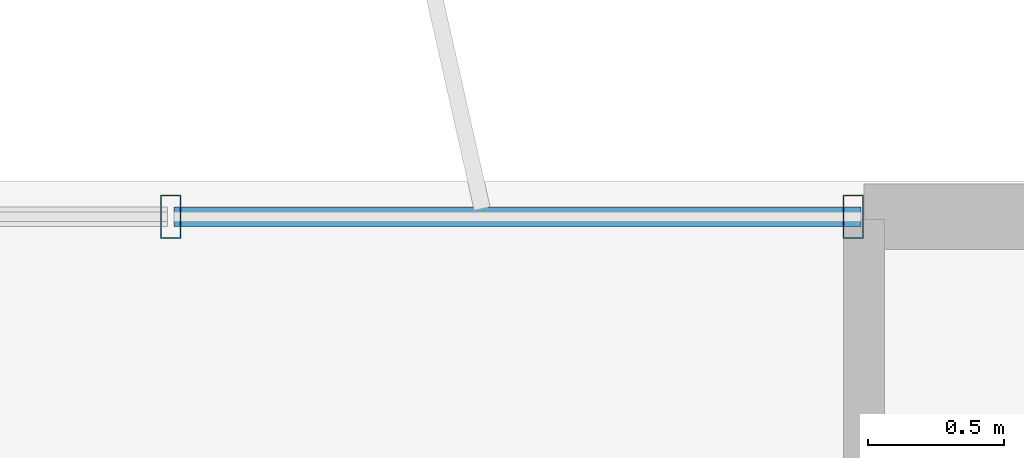
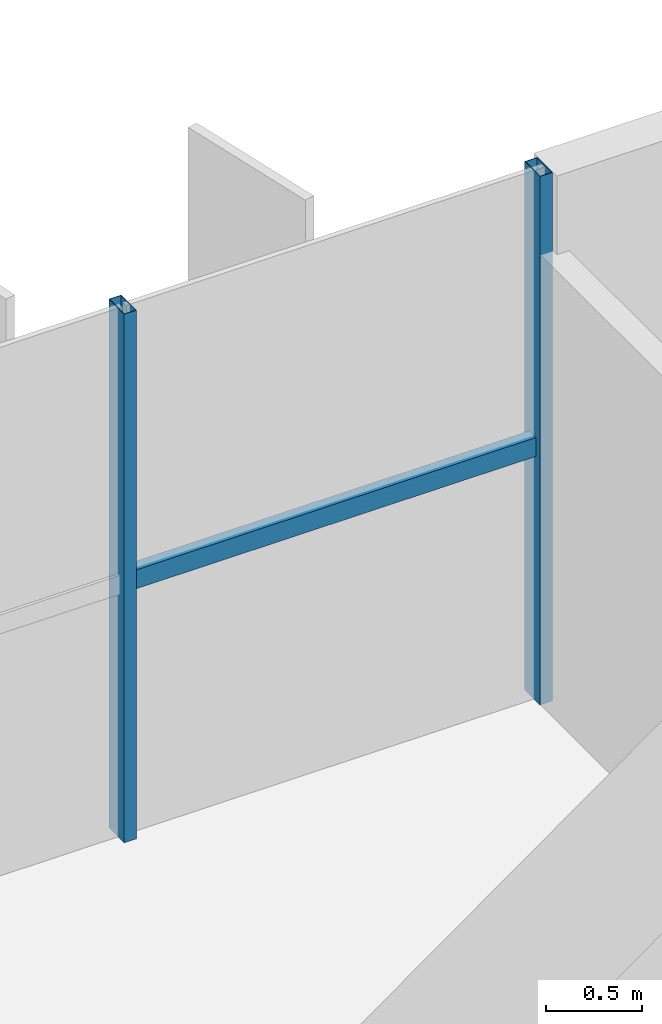
# One storey, part 14 of 23: 3 members, 1 element without a shape of its own.
"""IFC4 building model written with IfcOpenShell, lengths in metres."""

from ifc_helpers import new_model, si_unit, direction, frame, origin, origin_2d, place, context, subcontext, project, spatial, hollow_rectangle, extrude, source, transform, mapped, material, material_profile, profile_set, type_object, element, aggregate, save


model = new_model("IFC4")

# Units and contexts
model_context = context("Model", 3, precision=1e-05, world=origin(), true_north=direction((0.0, 1.0)))
body_context = subcontext(model_context, "Body", "Model", "MODEL_VIEW")
ifc_project = project(units=[si_unit("LENGTHUNIT", "METRE"), si_unit("AREAUNIT", "SQUARE_METRE"), si_unit("VOLUMEUNIT", "CUBIC_METRE"), si_unit("PLANEANGLEUNIT", "RADIAN"), si_unit("MASSUNIT", "GRAM", prefix="KILO")], contexts=[model_context])

# Site, building, storey
site_placement = place(None, origin())
site = spatial("IfcSite", under=ifc_project, at=site_placement, CompositionType="ELEMENT")
building_placement = place(site_placement, origin())
building = spatial("IfcBuilding", under=site, at=building_placement, Name="Trelvane Seafront Commons", CompositionType="ELEMENT")
storey_placement = place(building_placement, frame((0.0, 0.0, 204.89990234375)))
storey = spatial("IfcBuildingStorey", under=building, at=storey_placement, Name="L53", CompositionType="ELEMENT", Elevation=204.89990234375)

# Curtain wall, members
ifc_material = material(Name="Anodised pale-silver aluminium", Category="aluminium")
curtain_wall_type = type_object("IfcCurtainWallType", Name="ARCH-CW5-UPTOWER", PredefinedType="NOTDEFINED", material=ifc_material)
curtain_wall_placement = place(storey_placement, origin())
curtain_wall = element("IfcCurtainWall", 1, at=curtain_wall_placement, inside=storey, type_object=curtain_wall_type, Name="CW-L53-0096", PredefinedType="NOTDEFINED")
ifc_material_profile_1 = material_profile(ifc_material, hollow_rectangle(XDim=0.070068359375, YDim=0.1201171875, WallThickness=0.00390625, at=origin_2d()), Name="TRAN-70x120x4")
ifc_profile_set_1 = profile_set([ifc_material_profile_1], Name="Anodised pale-silver aluminium")
member_type_1 = type_object("IfcMemberType", Name="ARCH-CW-TRAN-120", PredefinedType="USERDEFINED", material=ifc_profile_set_1)
shared_shape_1 = source(origin(), body_context, "Body", "SweptSolid", [
    extrude(hollow_rectangle(XDim=0.070068359375, YDim=0.1201171875, WallThickness=0.00390625, at=origin_2d()), origin(), (0.0, 0.0, 1.0), 2.517333984375),
])
member_1_placement = place(storey_placement, frame((56.270751953125, 48.3701171875, 1.613037109375), z_axis=(1.0, 0.0, 0.0), x_axis=(0.0, 1.0, 0.0)))
member_1 = element("IfcMember", 2, at=member_1_placement, type_object=member_type_1, Name="CW-L53-0096-T16", ObjectType="TRANSOM", PredefinedType="USERDEFINED", context=body_context, shape_type="MappedRepresentation", body=[
    mapped(shared_shape_1, transform((0.0, 0.0, 0.0), x_axis=(1.0, 0.0, 0.0), y_axis=(0.0, 1.0, 0.0), z_axis=(0.0, 0.0, 1.0), scale=1.0)),
])
ifc_material_profile_2 = material_profile(ifc_material, hollow_rectangle(XDim=0.074951171875, YDim=0.159912109375, WallThickness=0.00390625, at=origin_2d()), Name="MULL-75x160x4")
ifc_profile_set_2 = profile_set([ifc_material_profile_2], Name="Anodised pale-silver aluminium")
member_type_2 = type_object("IfcMemberType", Name="ARCH-CW-MULL-160", PredefinedType="MULLION", material=ifc_profile_set_2)
shared_shape_2 = source(origin(), body_context, "Body", "SweptSolid", [
    extrude(hollow_rectangle(XDim=0.074951171875, YDim=0.159912109375, WallThickness=0.00390625, at=origin_2d()), origin(), (0.0, 0.0, 1.0), 3.360107421875),
])
member_2_placement = place(storey_placement, frame((56.2587890625, 48.3701171875, 0.0), z_axis=(0.0, 0.0, 1.0), x_axis=(1.0, 0.0, 0.0)))
member_2 = element("IfcMember", 3, at=member_2_placement, type_object=member_type_2, Name="CW-L53-0096-M16", PredefinedType="MULLION", context=body_context, shape_type="MappedRepresentation", body=[
    mapped(shared_shape_2, transform((0.0, 0.0, 0.0), x_axis=(1.0, 0.0, 0.0), y_axis=(0.0, 1.0, 0.0), z_axis=(0.0, 0.0, 1.0), scale=1.0)),
])
member_3_placement = place(storey_placement, frame((58.760009765625, 48.3701171875, 0.0), z_axis=(0.0, 0.0, 1.0), x_axis=(1.0, 0.0, 0.0)))
member_3 = element("IfcMember", 4, at=member_3_placement, type_object=member_type_2, Name="CW-L53-0096-M17", PredefinedType="MULLION", context=body_context, shape_type="MappedRepresentation", body=[
    mapped(shared_shape_2, transform((0.0, 0.0, 0.0), x_axis=(1.0, 0.0, 0.0), y_axis=(0.0, 1.0, 0.0), z_axis=(0.0, 0.0, 1.0), scale=1.0)),
])
aggregate(curtain_wall, [member_2, member_3, member_1])

save(model, "model.ifc")
